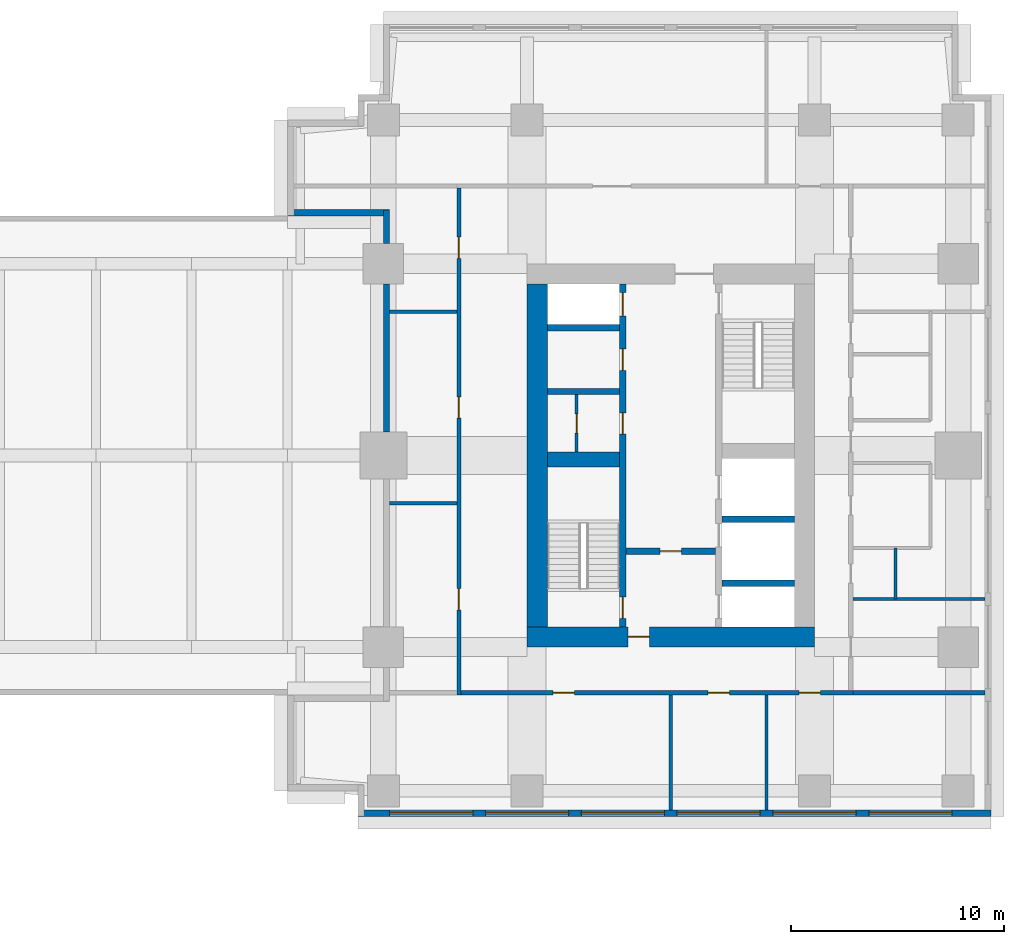
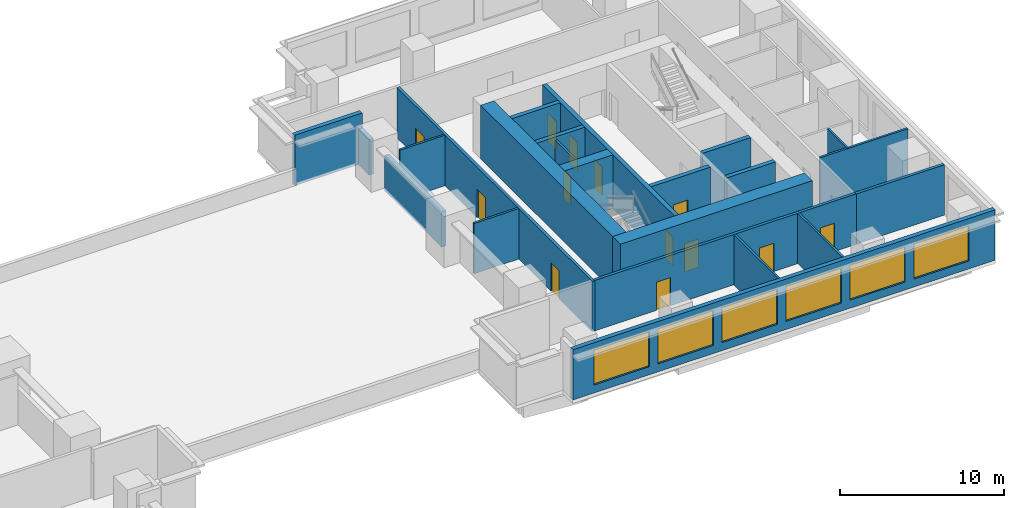
# One storey, part 6 of 10: 23 walls, 13 doors, 6 windows, 19 openings.
"""IFC4 building model written with IfcOpenShell, lengths in metres."""

from ifc_helpers import new_model, si_unit, direction, frame, frame_2d, origin, place, context, subcontext, project, spatial, rectangle, extrude, material, layer, layer_set, type_object, element, fill, save


model = new_model("IFC4")

# Units and contexts
model_context = context("Model", 3, precision=1e-05, world=origin(), true_north=direction((0.0, 1.0)))
body_context = subcontext(model_context, "Body", "Model", "MODEL_VIEW")
ifc_project = project(units=[si_unit("LENGTHUNIT", "METRE"), si_unit("AREAUNIT", "SQUARE_METRE"), si_unit("VOLUMEUNIT", "CUBIC_METRE"), si_unit("PLANEANGLEUNIT", "RADIAN"), si_unit("MASSUNIT", "GRAM", prefix="KILO")], contexts=[model_context])

# Site, building, storey
site_placement = place(None, origin())
site = spatial("IfcSite", under=ifc_project, at=site_placement, CompositionType="ELEMENT")
building_placement = place(site_placement, origin())
building = spatial("IfcBuilding", under=site, at=building_placement, Name="Namib Vertical Campus", CompositionType="ELEMENT")
storey_placement = place(building_placement, frame((0.0, 0.0, 137.0)))
storey = spatial("IfcBuildingStorey", under=building, at=storey_placement, Name="L32", CompositionType="ELEMENT", Elevation=137.0)

# Wall, openings, doors
ifc_material_1 = material(Name="Concrete C60/75", Category="concrete")
ifc_layer_1 = layer(ifc_material_1, 0.300048828125)
ifc_layer_set_1 = layer_set([ifc_layer_1], Name="Concrete C60/75")
wall_type_1 = type_object("IfcWallType", Name="Core inner wall 300", PredefinedType="SHEAR", material=ifc_layer_set_1)
wall_1_placement = place(storey_placement, frame((78.75, 12.199951171875, 0.0), z_axis=(0.0, 0.0, 1.0), x_axis=(0.0, 1.0, 0.0)))
wall_1 = element("IfcWall", 1, at=wall_1_placement, inside=storey, type_object=wall_type_1, Name="Core inner wall B L32 W1", PredefinedType="SHEAR", context=body_context, shape_type="SweptSolid", body=[
    extrude(rectangle(XDim=16.10009765625, YDim=0.300048828125, at=frame_2d((8.050048828125, 0.0))), origin(), (0.0, 0.0, 1.0), 4.0),
])
opening_1_placement = place(wall_1_placement, frame((0.39990234375, 0.0, 0.0)))
opening_1 = element("IfcOpeningElement", 2, at=opening_1_placement, cuts=wall_1, Name="Opening FD1", PredefinedType="OPENING", context=body_context, shape_type="SweptSolid", body=[
    extrude(rectangle(XDim=1.0, YDim=2.10009765625, at=frame_2d((0.5, 1.050048828125))), frame((0.0, 0.159912109375, 0.0), z_axis=(0.0, -1.0, 0.0), x_axis=(1.0, 0.0, 0.0)), (0.0, 0.0, 1.0), 0.320068359375),
])
opening_2_placement = place(wall_1_placement, frame((14.60009765625, 0.0, 0.0)))
opening_2 = element("IfcOpeningElement", 3, at=opening_2_placement, cuts=wall_1, Name="Opening LD1", PredefinedType="OPENING", context=body_context, shape_type="SweptSolid", body=[
    extrude(rectangle(XDim=1.10009765625, YDim=2.10009765625, at=frame_2d((0.550048828125, 1.050048828125))), frame((0.0, 0.159912109375, 0.0), z_axis=(0.0, -1.0, 0.0), x_axis=(1.0, 0.0, 0.0)), (0.0, 0.0, 1.0), 0.320068359375),
])
opening_3_placement = place(wall_1_placement, frame((9.050048828125, 0.0, 0.0)))
opening_3 = element("IfcOpeningElement", 4, at=opening_3_placement, cuts=wall_1, Name="Opening D1", PredefinedType="OPENING", context=body_context, shape_type="SweptSolid", body=[
    extrude(rectangle(XDim=1.0, YDim=2.10009765625, at=frame_2d((0.5, 1.050048828125))), frame((0.0, 0.159912109375, 0.0), z_axis=(0.0, -1.0, 0.0), x_axis=(1.0, 0.0, 0.0)), (0.0, 0.0, 1.0), 0.320068359375),
])
opening_4_placement = place(wall_1_placement, frame((12.050048828125, 0.0, 0.0)))
opening_4 = element("IfcOpeningElement", 5, at=opening_4_placement, cuts=wall_1, Name="Opening D1", PredefinedType="OPENING", context=body_context, shape_type="SweptSolid", body=[
    extrude(rectangle(XDim=1.0, YDim=2.10009765625, at=frame_2d((0.5, 1.050048828125))), frame((0.0, 0.159912109375, 0.0), z_axis=(0.0, -1.0, 0.0), x_axis=(1.0, 0.0, 0.0)), (0.0, 0.0, 1.0), 0.320068359375),
])
ifc_material_2 = material(Name="Timber door leaf", Category="wood")
door_type_1 = type_object("IfcDoorType", Name="Door single 1000x2100", OperationType="SINGLE_SWING_LEFT", PredefinedType="DOOR", material=ifc_material_2)
door_1_placement = place(opening_3_placement, origin())
door_1 = element("IfcDoor", 6, at=door_1_placement, inside=storey, type_object=door_type_1, Name="Door D1 Records store B L32 P1", OperationType="SINGLE_SWING_LEFT", OverallHeight=2.10009765625, OverallWidth=1.0, PredefinedType="DOOR", context=body_context, shape_type="SweptSolid", body=[
    extrude(rectangle(XDim=1.0, YDim=2.10009765625, at=frame_2d((0.5, 1.050048828125))), frame((0.0, 0.02490234375, 0.0), z_axis=(0.0, -1.0, 0.0), x_axis=(1.0, 0.0, 0.0)), (0.0, 0.0, 1.0), 0.050048828125),
])
fill(opening_3, door_1)
door_2_placement = place(opening_4_placement, origin())
door_2 = element("IfcDoor", 7, at=door_2_placement, inside=storey, type_object=door_type_1, Name="Door D1 Staff pantry B L32 P2", OperationType="SINGLE_SWING_LEFT", OverallHeight=2.10009765625, OverallWidth=1.0, PredefinedType="DOOR", context=body_context, shape_type="SweptSolid", body=[
    extrude(rectangle(XDim=1.0, YDim=2.10009765625, at=frame_2d((0.5, 1.050048828125))), frame((0.0, 0.02490234375, 0.0), z_axis=(0.0, -1.0, 0.0), x_axis=(1.0, 0.0, 0.0)), (0.0, 0.0, 1.0), 0.050048828125),
])
fill(opening_4, door_2)
ifc_material_3 = material(Name="Steel fire door", Category="steel")
door_type_2 = type_object("IfcDoorType", Name="Fire door 1000x2100", OperationType="SINGLE_SWING_RIGHT", PredefinedType="DOOR", material=ifc_material_3)
door_3_placement = place(opening_1_placement, origin())
door_3 = element("IfcDoor", 8, at=door_3_placement, inside=storey, type_object=door_type_2, Name="Stair door FD1 B L32 S1", OperationType="SINGLE_SWING_LEFT", OverallHeight=2.10009765625, OverallWidth=1.0, PredefinedType="DOOR", context=body_context, shape_type="SweptSolid", body=[
    extrude(rectangle(XDim=1.0, YDim=2.10009765625, at=frame_2d((0.5, 1.050048828125))), frame((0.0, 0.02490234375, 0.0), z_axis=(0.0, -1.0, 0.0), x_axis=(1.0, 0.0, 0.0)), (0.0, 0.0, 1.0), 0.050048828125),
])
fill(opening_1, door_3)
ifc_material_4 = material(Name="Stainless steel lift door", Category="steel")
door_type_3 = type_object("IfcDoorType", Name="Lift landing door 1100x2100", OperationType="DOUBLE_DOOR_SLIDING", PredefinedType="DOOR", material=ifc_material_4)
door_4_placement = place(opening_2_placement, origin())
door_4 = element("IfcDoor", 9, at=door_4_placement, inside=storey, type_object=door_type_3, Name="Lift landing door LD1 B-P3 L32", OperationType="DOUBLE_DOOR_SLIDING", OverallHeight=2.10009765625, OverallWidth=1.10009765625, PredefinedType="DOOR", context=body_context, shape_type="SweptSolid", body=[
    extrude(rectangle(XDim=1.10009765625, YDim=2.10009765625, at=frame_2d((0.550048828125, 1.050048828125))), frame((0.0, 0.02490234375, 0.0), z_axis=(0.0, -1.0, 0.0), x_axis=(1.0, 0.0, 0.0)), (0.0, 0.0, 1.0), 0.050048828125),
])
fill(opening_2, door_4)

# Wall, opening, door
wall_2_placement = place(storey_placement, frame((78.89990234375, 15.75, 0.0), z_axis=(0.0, 0.0, 1.0), x_axis=(1.0, 0.0, 0.0)))
wall_2 = element("IfcWall", 10, at=wall_2_placement, inside=storey, type_object=wall_type_1, Name="Core inner wall B L32 W4", PredefinedType="SHEAR", context=body_context, shape_type="SweptSolid", body=[
    extrude(rectangle(XDim=4.2001953125, YDim=0.300048828125, at=frame_2d((2.10009765625, 0.0))), origin(), (0.0, 0.0, 1.0), 4.0),
])
opening_5_placement = place(wall_2_placement, frame((1.60009765625, 0.0, 0.0)))
opening_5 = element("IfcOpeningElement", 11, at=opening_5_placement, cuts=wall_2, Name="Opening FD5", PredefinedType="OPENING", context=body_context, shape_type="SweptSolid", body=[
    extrude(rectangle(XDim=1.0, YDim=2.10009765625, at=frame_2d((0.5, 1.050048828125))), frame((0.0, 0.159912109375, 0.0), z_axis=(0.0, -1.0, 0.0), x_axis=(1.0, 0.0, 0.0)), (0.0, 0.0, 1.0), 0.320068359375),
])
ifc_material_5 = material(Name="Steel fire door", Category="steel")
door_type_4 = type_object("IfcDoorType", Name="Fire door 1000x2100 120 min", OperationType="SINGLE_SWING_RIGHT", PredefinedType="DOOR", material=ifc_material_5)
door_5_placement = place(opening_5_placement, frame((1.0, 0.0, 0.0), z_axis=(0.0, 0.0, 1.0), x_axis=(-1.0, 0.0, 0.0)))
door_5 = element("IfcDoor", 12, at=door_5_placement, inside=storey, type_object=door_type_4, Name="Lobby door FD5 B L32", OperationType="SINGLE_SWING_RIGHT", OverallHeight=2.10009765625, OverallWidth=1.0, PredefinedType="DOOR", context=body_context, shape_type="SweptSolid", body=[
    extrude(rectangle(XDim=1.0, YDim=2.10009765625, at=frame_2d((0.5, 1.050048828125))), frame((0.0, 0.02490234375, 0.0), z_axis=(0.0, -1.0, 0.0), x_axis=(1.0, 0.0, 0.0)), (0.0, 0.0, 1.0), 0.050048828125),
])
fill(opening_5, door_5)

# Walls
for number, where, z_axis, x_axis, name in (
    (13, (83.39990234375, 14.25, 0.0), (0.0, 0.0, 1.0), (1.0, 0.0, 0.0), "Core inner wall B L32 W5"),
    (14, (83.39990234375, 17.25, 0.0), (0.0, 0.0, 1.0), (1.0, 0.0, 0.0), "Core inner wall B L32 W6"),
    (15, (75.199951171875, 23.25, 0.0), (0.0, 0.0, 1.0), (1.0, 0.0, 0.0), "Core inner wall B L32 W8"),
    (16, (75.199951171875, 26.25, 0.0), (0.0, 0.0, 1.0), (1.0, 0.0, 0.0), "Core inner wall B L32 W9"),
):
    element("IfcWall", number, at=place(storey_placement, frame(where, z_axis=z_axis, x_axis=x_axis)), inside=storey, type_object=wall_type_1, Name=name, PredefinedType="SHEAR", context=body_context, shape_type="SweptSolid", body=[
        extrude(rectangle(XDim=3.400146484375, YDim=0.300048828125, at=frame_2d((1.7001953125, 0.0))), origin(), (0.0, 0.0, 1.0), 4.0),
    ])
ifc_material_6 = material(Name="Concrete C60/75", Category="concrete")
ifc_layer_2 = layer(ifc_material_6, 0.699951171875)
ifc_layer_set_2 = layer_set([ifc_layer_2], Name="Concrete C60/75")
wall_type_2 = type_object("IfcWallType", Name="Core shear wall 700", PredefinedType="SHEAR", material=ifc_layer_set_2)
wall_3_placement = place(storey_placement, frame((75.199951171875, 20.050048828125, 0.0), z_axis=(0.0, 0.0, 1.0), x_axis=(1.0, 0.0, 0.0)))
element("IfcWall", 17, at=wall_3_placement, inside=storey, type_object=wall_type_2, Name="Core shear wall B L32 W3", PredefinedType="SHEAR", context=body_context, shape_type="SweptSolid", body=[
    extrude(rectangle(XDim=3.400146484375, YDim=0.699951171875, at=frame_2d((1.7001953125, 0.0))), origin(), (0.0, 0.0, 1.0), 4.0),
])

# Wall, opening, door
ifc_material_7 = material(Name="Concrete C60/75", Category="concrete")
ifc_layer_3 = layer(ifc_material_7, 0.949951171875)
ifc_layer_set_3 = layer_set([ifc_layer_3], Name="Concrete C60/75")
wall_type_3 = type_object("IfcWallType", Name="Core wall 950", PredefinedType="SHEAR", material=ifc_layer_set_3)
wall_4_placement = place(storey_placement, frame((74.25, 11.72509765625, 0.0), z_axis=(0.0, 0.0, 1.0), x_axis=(1.0, 0.0, 0.0)))
wall_4 = element("IfcWall", 18, at=wall_4_placement, inside=storey, type_object=wall_type_3, Name="Core wall B L32 1", PredefinedType="SHEAR", context=body_context, shape_type="SweptSolid", body=[
    extrude(rectangle(XDim=13.5, YDim=0.949951171875, at=frame_2d((6.75, 0.0))), origin(), (0.0, 0.0, 1.0), 4.0),
])
opening_6_placement = place(wall_4_placement, frame((4.75, 0.0, 0.0)))
opening_6 = element("IfcOpeningElement", 19, at=opening_6_placement, cuts=wall_4, Name="Opening FD5", PredefinedType="OPENING", context=body_context, shape_type="SweptSolid", body=[
    extrude(rectangle(XDim=1.0, YDim=2.10009765625, at=frame_2d((0.5, 1.050048828125))), frame((0.0, 0.48486328125, 0.0), z_axis=(0.0, -1.0, 0.0), x_axis=(1.0, 0.0, 0.0)), (0.0, 0.0, 1.0), 0.969970703125),
])
door_6_placement = place(opening_6_placement, origin())
door_6 = element("IfcDoor", 20, at=door_6_placement, inside=storey, type_object=door_type_4, Name="Firefighting lobby door FD5 B L32", OperationType="SINGLE_SWING_LEFT", OverallHeight=2.10009765625, OverallWidth=1.0, PredefinedType="DOOR", context=body_context, shape_type="SweptSolid", body=[
    extrude(rectangle(XDim=1.0, YDim=2.10009765625, at=frame_2d((0.5, 1.050048828125))), frame((0.0, 0.02490234375, 0.0), z_axis=(0.0, -1.0, 0.0), x_axis=(1.0, 0.0, 0.0)), (0.0, 0.0, 1.0), 0.050048828125),
])
fill(opening_6, door_6)

# Wall
wall_5_placement = place(storey_placement, frame((74.72509765625, 28.300048828125, 0.0), z_axis=(0.0, 0.0, 1.0), x_axis=(0.0, -1.0, 0.0)))
element("IfcWall", 21, at=wall_5_placement, inside=storey, type_object=wall_type_3, Name="Core wall B L32 4", PredefinedType="SHEAR", context=body_context, shape_type="SweptSolid", body=[
    extrude(rectangle(XDim=16.10009765625, YDim=0.949951171875, at=frame_2d((8.050048828125, 0.0))), origin(), (0.0, 0.0, 1.0), 4.0),
])

# Wall, openings, doors
ifc_material_8 = material(Name="Concrete masonry", Category="masonry")
ifc_layer_4 = layer(ifc_material_8, 0.199951171875)
ifc_layer_set_4 = layer_set([ifc_layer_4], Name="Corridor wall 200")
wall_type_4 = type_object("IfcWallType", Name="Corridor wall 200", PredefinedType="SOLIDWALL", material=ifc_layer_set_4)
wall_6_placement = place(storey_placement, frame((71.14990234375, 9.10009765625, 0.0), z_axis=(0.0, 0.0, 1.0), x_axis=(1.0, 0.0, 0.0)))
wall_6 = element("IfcWall", 22, at=wall_6_placement, inside=storey, type_object=wall_type_4, Name="Corridor wall B L32 CS", PredefinedType="SOLIDWALL", context=body_context, shape_type="SweptSolid", body=[
    extrude(rectangle(XDim=18.400146484375, YDim=0.199951171875, at=frame_2d((9.2001953125, 0.0))), origin(), (0.0, 0.0, 1.0), 3.75),
])
opening_7_placement = place(wall_6_placement, frame((4.324951171875, 0.0, 0.0)))
opening_7 = element("IfcOpeningElement", 23, at=opening_7_placement, cuts=wall_6, Name="Opening CD1", PredefinedType="OPENING", context=body_context, shape_type="SweptSolid", body=[
    extrude(rectangle(XDim=1.0, YDim=2.10009765625, at=frame_2d((0.5, 1.050048828125))), frame((0.0, 0.10986328125, 0.0), z_axis=(0.0, -1.0, 0.0), x_axis=(1.0, 0.0, 0.0)), (0.0, 0.0, 1.0), 0.219970703125),
])
opening_8_placement = place(wall_6_placement, frame((11.60009765625, 0.0, 0.0)))
opening_8 = element("IfcOpeningElement", 24, at=opening_8_placement, cuts=wall_6, Name="Opening CD1", PredefinedType="OPENING", context=body_context, shape_type="SweptSolid", body=[
    extrude(rectangle(XDim=1.0, YDim=2.10009765625, at=frame_2d((0.5, 1.050048828125))), frame((0.0, 0.10986328125, 0.0), z_axis=(0.0, -1.0, 0.0), x_axis=(1.0, 0.0, 0.0)), (0.0, 0.0, 1.0), 0.219970703125),
])
opening_9_placement = place(wall_6_placement, frame((15.875, 0.0, 0.0)))
opening_9 = element("IfcOpeningElement", 25, at=opening_9_placement, cuts=wall_6, Name="Opening CD1", PredefinedType="OPENING", context=body_context, shape_type="SweptSolid", body=[
    extrude(rectangle(XDim=1.0, YDim=2.10009765625, at=frame_2d((0.5, 1.050048828125))), frame((0.0, 0.10986328125, 0.0), z_axis=(0.0, -1.0, 0.0), x_axis=(1.0, 0.0, 0.0)), (0.0, 0.0, 1.0), 0.219970703125),
])
ifc_material_9 = material(Name="Timber fire door leaf", Category="wood")
door_type_5 = type_object("IfcDoorType", Name="Corridor door 1000x2100 20 min", OperationType="SINGLE_SWING_LEFT", PredefinedType="DOOR", material=ifc_material_9)
door_7_placement = place(opening_7_placement, frame((1.0, 0.0, 0.0), z_axis=(0.0, 0.0, 1.0), x_axis=(-1.0, 0.0, 0.0)))
door_7 = element("IfcDoor", 26, at=door_7_placement, inside=storey, type_object=door_type_5, Name="Door CD1 B32-01", OperationType="SINGLE_SWING_LEFT", OverallHeight=2.10009765625, OverallWidth=1.0, PredefinedType="DOOR", context=body_context, shape_type="SweptSolid", body=[
    extrude(rectangle(XDim=1.0, YDim=2.10009765625, at=frame_2d((0.5, 1.050048828125))), frame((0.0, 0.02490234375, 0.0), z_axis=(0.0, -1.0, 0.0), x_axis=(1.0, 0.0, 0.0)), (0.0, 0.0, 1.0), 0.050048828125),
])
fill(opening_7, door_7)
door_8_placement = place(opening_8_placement, frame((1.0, 0.0, 0.0), z_axis=(0.0, 0.0, 1.0), x_axis=(-1.0, 0.0, 0.0)))
door_8 = element("IfcDoor", 27, at=door_8_placement, inside=storey, type_object=door_type_5, Name="Door CD1 B32-02", OperationType="SINGLE_SWING_RIGHT", OverallHeight=2.10009765625, OverallWidth=1.0, PredefinedType="DOOR", context=body_context, shape_type="SweptSolid", body=[
    extrude(rectangle(XDim=1.0, YDim=2.10009765625, at=frame_2d((0.5, 1.050048828125))), frame((0.0, 0.02490234375, 0.0), z_axis=(0.0, -1.0, 0.0), x_axis=(1.0, 0.0, 0.0)), (0.0, 0.0, 1.0), 0.050048828125),
])
fill(opening_8, door_8)
door_9_placement = place(opening_9_placement, frame((1.0, 0.0, 0.0), z_axis=(0.0, 0.0, 1.0), x_axis=(-1.0, 0.0, 0.0)))
door_9 = element("IfcDoor", 28, at=door_9_placement, inside=storey, type_object=door_type_5, Name="Door CD1 B32-03", OperationType="SINGLE_SWING_RIGHT", OverallHeight=2.10009765625, OverallWidth=1.0, PredefinedType="DOOR", context=body_context, shape_type="SweptSolid", body=[
    extrude(rectangle(XDim=1.0, YDim=2.10009765625, at=frame_2d((0.5, 1.050048828125))), frame((0.0, 0.02490234375, 0.0), z_axis=(0.0, -1.0, 0.0), x_axis=(1.0, 0.0, 0.0)), (0.0, 0.0, 1.0), 0.050048828125),
])
fill(opening_9, door_9)

wall_7_placement = place(storey_placement, frame((71.050048828125, 32.800048828125, 0.0), z_axis=(0.0, 0.0, 1.0), x_axis=(0.0, -1.0, 0.0)))
wall_7 = element("IfcWall", 29, at=wall_7_placement, inside=storey, type_object=wall_type_4, Name="Corridor wall B L32 CW", PredefinedType="SOLIDWALL", context=body_context, shape_type="SweptSolid", body=[
    extrude(rectangle(XDim=23.800048828125, YDim=0.199951171875, at=frame_2d((11.89990234375, 0.0))), origin(), (0.0, 0.0, 1.0), 3.75),
])
opening_10_placement = place(wall_7_placement, frame((18.800048828125, 0.0, 0.0)))
opening_10 = element("IfcOpeningElement", 30, at=opening_10_placement, cuts=wall_7, Name="Opening CD1", PredefinedType="OPENING", context=body_context, shape_type="SweptSolid", body=[
    extrude(rectangle(XDim=1.0, YDim=2.10009765625, at=frame_2d((0.5, 1.050048828125))), frame((0.0, 0.10986328125, 0.0), z_axis=(0.0, -1.0, 0.0), x_axis=(1.0, 0.0, 0.0)), (0.0, 0.0, 1.0), 0.219970703125),
])
opening_11_placement = place(wall_7_placement, frame((9.800048828125, 0.0, 0.0)))
opening_11 = element("IfcOpeningElement", 31, at=opening_11_placement, cuts=wall_7, Name="Opening CD1", PredefinedType="OPENING", context=body_context, shape_type="SweptSolid", body=[
    extrude(rectangle(XDim=1.0, YDim=2.10009765625, at=frame_2d((0.5, 1.050048828125))), frame((0.0, 0.10986328125, 0.0), z_axis=(0.0, -1.0, 0.0), x_axis=(1.0, 0.0, 0.0)), (0.0, 0.0, 1.0), 0.219970703125),
])
opening_12_placement = place(wall_7_placement, frame((2.300048828125, 0.0, 0.0)))
opening_12 = element("IfcOpeningElement", 32, at=opening_12_placement, cuts=wall_7, Name="Opening CD1", PredefinedType="OPENING", context=body_context, shape_type="SweptSolid", body=[
    extrude(rectangle(XDim=1.0, YDim=2.10009765625, at=frame_2d((0.5, 1.050048828125))), frame((0.0, 0.10986328125, 0.0), z_axis=(0.0, -1.0, 0.0), x_axis=(1.0, 0.0, 0.0)), (0.0, 0.0, 1.0), 0.219970703125),
])
door_10_placement = place(opening_10_placement, frame((1.0, 0.0, 0.0), z_axis=(0.0, 0.0, 1.0), x_axis=(-1.0, 0.0, 0.0)))
door_10 = element("IfcDoor", 33, at=door_10_placement, inside=storey, type_object=door_type_5, Name="Door CD1 B32-13", OperationType="SINGLE_SWING_RIGHT", OverallHeight=2.10009765625, OverallWidth=1.0, PredefinedType="DOOR", context=body_context, shape_type="SweptSolid", body=[
    extrude(rectangle(XDim=1.0, YDim=2.10009765625, at=frame_2d((0.5, 1.050048828125))), frame((0.0, 0.02490234375, 0.0), z_axis=(0.0, -1.0, 0.0), x_axis=(1.0, 0.0, 0.0)), (0.0, 0.0, 1.0), 0.050048828125),
])
fill(opening_10, door_10)
door_11_placement = place(opening_11_placement, frame((1.0, 0.0, 0.0), z_axis=(0.0, 0.0, 1.0), x_axis=(-1.0, 0.0, 0.0)))
door_11 = element("IfcDoor", 34, at=door_11_placement, inside=storey, type_object=door_type_5, Name="Door CD1 B32-14", OperationType="SINGLE_SWING_RIGHT", OverallHeight=2.10009765625, OverallWidth=1.0, PredefinedType="DOOR", context=body_context, shape_type="SweptSolid", body=[
    extrude(rectangle(XDim=1.0, YDim=2.10009765625, at=frame_2d((0.5, 1.050048828125))), frame((0.0, 0.02490234375, 0.0), z_axis=(0.0, -1.0, 0.0), x_axis=(1.0, 0.0, 0.0)), (0.0, 0.0, 1.0), 0.050048828125),
])
fill(opening_11, door_11)
door_12_placement = place(opening_12_placement, frame((1.0, 0.0, 0.0), z_axis=(0.0, 0.0, 1.0), x_axis=(-1.0, 0.0, 0.0)))
door_12 = element("IfcDoor", 35, at=door_12_placement, inside=storey, type_object=door_type_5, Name="Door CD1 B32-15", OperationType="SINGLE_SWING_RIGHT", OverallHeight=2.10009765625, OverallWidth=1.0, PredefinedType="DOOR", context=body_context, shape_type="SweptSolid", body=[
    extrude(rectangle(XDim=1.0, YDim=2.10009765625, at=frame_2d((0.5, 1.050048828125))), frame((0.0, 0.02490234375, 0.0), z_axis=(0.0, -1.0, 0.0), x_axis=(1.0, 0.0, 0.0)), (0.0, 0.0, 1.0), 0.050048828125),
])
fill(opening_12, door_12)

# Wall
wall_8_placement = place(storey_placement, frame((89.550048828125, 9.10009765625, 0.0), z_axis=(0.0, 0.0, 1.0), x_axis=(1.0, 0.0, 0.0)))
element("IfcWall", 36, at=wall_8_placement, inside=storey, type_object=wall_type_4, Name="Partition B L32 BSE", PredefinedType="SOLIDWALL", context=body_context, shape_type="SweptSolid", body=[
    extrude(rectangle(XDim=6.199951171875, YDim=0.199951171875, at=frame_2d((3.10009765625, 0.0))), origin(), (0.0, 0.0, 1.0), 3.75),
])

# Wall, openings, windows
ifc_material_10 = material(Name="Concrete C40/50", Category="concrete")
ifc_layer_5 = layer(ifc_material_10, 0.300048828125)
ifc_layer_set_5 = layer_set([ifc_layer_5], Name="Concrete C40/50")
wall_type_5 = type_object("IfcWallType", Name="External wall 300 board-marked concrete", PredefinedType="STANDARD", material=ifc_layer_set_5)
wall_9_placement = place(storey_placement, frame((66.320068359375, 3.449951171875, 0.0), z_axis=(0.0, 0.0, 1.0), x_axis=(1.0, 0.0, 0.0)))
wall_9 = element("IfcWall", 37, at=wall_9_placement, inside=storey, type_object=wall_type_5, Name="External wall L32 F04", PredefinedType="STANDARD", context=body_context, shape_type="SweptSolid", body=[
    extrude(rectangle(XDim=29.7099609375, YDim=0.300048828125, at=frame_2d((14.85498046875, 0.0))), origin(), (0.0, 0.0, 1.0), 3.75),
])
opening_13_placement = place(wall_9_placement, frame((1.47998046875, 0.0, 0.60009765625)))
opening_13 = element("IfcOpeningElement", 38, at=opening_13_placement, cuts=wall_9, Name="Opening W2", PredefinedType="OPENING", context=body_context, shape_type="SweptSolid", body=[
    extrude(rectangle(XDim=3.89990234375, YDim=2.60009765625, at=frame_2d((1.949951171875, 1.300048828125))), frame((0.0, 0.159912109375, 0.0), z_axis=(0.0, -1.0, 0.0), x_axis=(1.0, 0.0, 0.0)), (0.0, 0.0, 1.0), 0.320068359375),
])
opening_14_placement = place(wall_9_placement, frame((5.97998046875, 0.0, 0.60009765625)))
opening_14 = element("IfcOpeningElement", 39, at=opening_14_placement, cuts=wall_9, Name="Opening W2", PredefinedType="OPENING", context=body_context, shape_type="SweptSolid", body=[
    extrude(rectangle(XDim=3.89990234375, YDim=2.60009765625, at=frame_2d((1.949951171875, 1.300048828125))), frame((0.0, 0.159912109375, 0.0), z_axis=(0.0, -1.0, 0.0), x_axis=(1.0, 0.0, 0.0)), (0.0, 0.0, 1.0), 0.320068359375),
])
opening_15_placement = place(wall_9_placement, frame((10.47998046875, 0.0, 0.60009765625)))
opening_15 = element("IfcOpeningElement", 40, at=opening_15_placement, cuts=wall_9, Name="Opening W2", PredefinedType="OPENING", context=body_context, shape_type="SweptSolid", body=[
    extrude(rectangle(XDim=3.89990234375, YDim=2.60009765625, at=frame_2d((1.949951171875, 1.300048828125))), frame((0.0, 0.159912109375, 0.0), z_axis=(0.0, -1.0, 0.0), x_axis=(1.0, 0.0, 0.0)), (0.0, 0.0, 1.0), 0.320068359375),
])
opening_16_placement = place(wall_9_placement, frame((14.97998046875, 0.0, 0.60009765625)))
opening_16 = element("IfcOpeningElement", 41, at=opening_16_placement, cuts=wall_9, Name="Opening W2", PredefinedType="OPENING", context=body_context, shape_type="SweptSolid", body=[
    extrude(rectangle(XDim=3.89990234375, YDim=2.60009765625, at=frame_2d((1.949951171875, 1.300048828125))), frame((0.0, 0.159912109375, 0.0), z_axis=(0.0, -1.0, 0.0), x_axis=(1.0, 0.0, 0.0)), (0.0, 0.0, 1.0), 0.320068359375),
])
opening_17_placement = place(wall_9_placement, frame((19.47998046875, 0.0, 0.60009765625)))
opening_17 = element("IfcOpeningElement", 42, at=opening_17_placement, cuts=wall_9, Name="Opening W2", PredefinedType="OPENING", context=body_context, shape_type="SweptSolid", body=[
    extrude(rectangle(XDim=3.89990234375, YDim=2.60009765625, at=frame_2d((1.949951171875, 1.300048828125))), frame((0.0, 0.159912109375, 0.0), z_axis=(0.0, -1.0, 0.0), x_axis=(1.0, 0.0, 0.0)), (0.0, 0.0, 1.0), 0.320068359375),
])
opening_18_placement = place(wall_9_placement, frame((23.97998046875, 0.0, 0.60009765625)))
opening_18 = element("IfcOpeningElement", 43, at=opening_18_placement, cuts=wall_9, Name="Opening W2", PredefinedType="OPENING", context=body_context, shape_type="SweptSolid", body=[
    extrude(rectangle(XDim=3.89990234375, YDim=2.60009765625, at=frame_2d((1.949951171875, 1.300048828125))), frame((0.0, 0.159912109375, 0.0), z_axis=(0.0, -1.0, 0.0), x_axis=(1.0, 0.0, 0.0)), (0.0, 0.0, 1.0), 0.320068359375),
])
ifc_material_11 = material(Name="Dark tinted glass in black aluminium frame", Category="aluminium")
window_type = type_object("IfcWindowType", Name="Ribbon window 3900x2600", PartitioningType="SINGLE_PANEL", PredefinedType="WINDOW", material=ifc_material_11)
window_1_placement = place(opening_13_placement, origin())
window_1 = element("IfcWindow", 44, at=window_1_placement, inside=storey, type_object=window_type, Name="Window W2 L32 F04-1", OverallHeight=2.60009765625, OverallWidth=3.89990234375, PartitioningType="SINGLE_PANEL", PredefinedType="WINDOW", context=body_context, shape_type="SweptSolid", body=[
    extrude(rectangle(XDim=3.89990234375, YDim=2.60009765625, at=frame_2d((1.949951171875, 1.300048828125))), frame((0.0, 0.030029296875, 0.0), z_axis=(0.0, -1.0, 0.0), x_axis=(1.0, 0.0, 0.0)), (0.0, 0.0, 1.0), 0.06005859375),
])
fill(opening_13, window_1)
window_2_placement = place(opening_14_placement, origin())
window_2 = element("IfcWindow", 45, at=window_2_placement, inside=storey, type_object=window_type, Name="Window W2 L32 F04-2", OverallHeight=2.60009765625, OverallWidth=3.89990234375, PartitioningType="SINGLE_PANEL", PredefinedType="WINDOW", context=body_context, shape_type="SweptSolid", body=[
    extrude(rectangle(XDim=3.89990234375, YDim=2.60009765625, at=frame_2d((1.949951171875, 1.300048828125))), frame((0.0, 0.030029296875, 0.0), z_axis=(0.0, -1.0, 0.0), x_axis=(1.0, 0.0, 0.0)), (0.0, 0.0, 1.0), 0.06005859375),
])
fill(opening_14, window_2)
window_3_placement = place(opening_15_placement, origin())
window_3 = element("IfcWindow", 46, at=window_3_placement, inside=storey, type_object=window_type, Name="Window W2 L32 F04-3", OverallHeight=2.60009765625, OverallWidth=3.89990234375, PartitioningType="SINGLE_PANEL", PredefinedType="WINDOW", context=body_context, shape_type="SweptSolid", body=[
    extrude(rectangle(XDim=3.89990234375, YDim=2.60009765625, at=frame_2d((1.949951171875, 1.300048828125))), frame((0.0, 0.030029296875, 0.0), z_axis=(0.0, -1.0, 0.0), x_axis=(1.0, 0.0, 0.0)), (0.0, 0.0, 1.0), 0.06005859375),
])
fill(opening_15, window_3)
window_4_placement = place(opening_16_placement, origin())
window_4 = element("IfcWindow", 47, at=window_4_placement, inside=storey, type_object=window_type, Name="Window W2 L32 F04-4", OverallHeight=2.60009765625, OverallWidth=3.89990234375, PartitioningType="SINGLE_PANEL", PredefinedType="WINDOW", context=body_context, shape_type="SweptSolid", body=[
    extrude(rectangle(XDim=3.89990234375, YDim=2.60009765625, at=frame_2d((1.949951171875, 1.300048828125))), frame((0.0, 0.030029296875, 0.0), z_axis=(0.0, -1.0, 0.0), x_axis=(1.0, 0.0, 0.0)), (0.0, 0.0, 1.0), 0.06005859375),
])
fill(opening_16, window_4)
window_5_placement = place(opening_17_placement, origin())
window_5 = element("IfcWindow", 48, at=window_5_placement, inside=storey, type_object=window_type, Name="Window W2 L32 F04-5", OverallHeight=2.60009765625, OverallWidth=3.89990234375, PartitioningType="SINGLE_PANEL", PredefinedType="WINDOW", context=body_context, shape_type="SweptSolid", body=[
    extrude(rectangle(XDim=3.89990234375, YDim=2.60009765625, at=frame_2d((1.949951171875, 1.300048828125))), frame((0.0, 0.030029296875, 0.0), z_axis=(0.0, -1.0, 0.0), x_axis=(1.0, 0.0, 0.0)), (0.0, 0.0, 1.0), 0.06005859375),
])
fill(opening_17, window_5)
window_6_placement = place(opening_18_placement, origin())
window_6 = element("IfcWindow", 49, at=window_6_placement, inside=storey, type_object=window_type, Name="Window W2 L32 F04-6", OverallHeight=2.60009765625, OverallWidth=3.89990234375, PartitioningType="SINGLE_PANEL", PredefinedType="WINDOW", context=body_context, shape_type="SweptSolid", body=[
    extrude(rectangle(XDim=3.89990234375, YDim=2.60009765625, at=frame_2d((1.949951171875, 1.300048828125))), frame((0.0, 0.030029296875, 0.0), z_axis=(0.0, -1.0, 0.0), x_axis=(1.0, 0.0, 0.0)), (0.0, 0.0, 1.0), 0.06005859375),
])
fill(opening_18, window_6)

# Walls
wall_10_placement = place(storey_placement, frame((63.02001953125, 31.64990234375, 0.0), z_axis=(0.0, 0.0, 1.0), x_axis=(1.0, 0.0, 0.0)))
element("IfcWall", 50, at=wall_10_placement, inside=storey, type_object=wall_type_5, Name="External wall L32 F14", PredefinedType="STANDARD", context=body_context, shape_type="SweptSolid", body=[
    extrude(rectangle(XDim=4.760009765625, YDim=0.300048828125, at=frame_2d((2.3798828125, 0.0))), origin(), (0.0, 0.0, 1.0), 3.75),
])
wall_11_placement = place(storey_placement, frame((67.64990234375, 31.780029296875, 0.0), z_axis=(0.0, 0.0, 1.0), x_axis=(0.0, -1.0, 0.0)))
element("IfcWall", 51, at=wall_11_placement, inside=storey, type_object=wall_type_5, Name="External wall L32 F15", PredefinedType="STANDARD", context=body_context, shape_type="SweptSolid", body=[
    extrude(rectangle(XDim=1.580078125, YDim=0.300048828125, at=frame_2d((0.7900390625, 0.0))), origin(), (0.0, 0.0, 1.0), 2.64990234375),
])
wall_12_placement = place(storey_placement, frame((67.64990234375, 28.300048828125, 0.0), z_axis=(0.0, 0.0, 1.0), x_axis=(0.0, -1.0, 0.0)))
element("IfcWall", 52, at=wall_12_placement, inside=storey, type_object=wall_type_5, Name="External wall L32 F15", PredefinedType="STANDARD", context=body_context, shape_type="SweptSolid", body=[
    extrude(rectangle(XDim=6.949951171875, YDim=0.300048828125, at=frame_2d((3.47509765625, 0.0))), origin(), (0.0, 0.0, 1.0), 2.64990234375),
])

# Wall, opening, door
ifc_material_12 = material(Name="Gypsum board on steel studs", Category="steel")
ifc_layer_6 = layer(ifc_material_12, 0.14990234375)
ifc_layer_set_6 = layer_set([ifc_layer_6], Name="Gypsum board on steel studs")
wall_type_6 = type_object("IfcWallType", Name="Partition 150", PredefinedType="PARTITIONING", material=ifc_layer_set_6)
wall_13_placement = place(storey_placement, frame((76.574951171875, 20.39990234375, 0.0), z_axis=(0.0, 0.0, 1.0), x_axis=(0.0, 1.0, 0.0)))
wall_13 = element("IfcWall", 53, at=wall_13_placement, inside=storey, type_object=wall_type_6, Name="Partition B L32 Records store P1 back", PredefinedType="PARTITIONING", context=body_context, shape_type="SweptSolid", body=[
    extrude(rectangle(XDim=2.7001953125, YDim=0.14990234375, at=frame_2d((1.35009765625, 0.0))), origin(), (0.0, 0.0, 1.0), 3.75),
])
opening_19_placement = place(wall_13_placement, frame((0.89990234375, 0.0, 0.0)))
opening_19 = element("IfcOpeningElement", 54, at=opening_19_placement, cuts=wall_13, Name="Opening D3", PredefinedType="OPENING", context=body_context, shape_type="SweptSolid", body=[
    extrude(rectangle(XDim=0.89990234375, YDim=2.10009765625, at=frame_2d((0.449951171875, 1.050048828125))), frame((0.0, 0.0849609375, 0.0), z_axis=(0.0, -1.0, 0.0), x_axis=(1.0, 0.0, 0.0)), (0.0, 0.0, 1.0), 0.169921875),
])
ifc_material_13 = material(Name="Timber door leaf", Category="wood")
door_type_6 = type_object("IfcDoorType", Name="Toilet door 900x2100", OperationType="SINGLE_SWING_LEFT", PredefinedType="DOOR", material=ifc_material_13)
door_13_placement = place(opening_19_placement, origin())
door_13 = element("IfcDoor", 55, at=door_13_placement, inside=storey, type_object=door_type_6, Name="Door D3 Store B L32 P1", OperationType="SINGLE_SWING_LEFT", OverallHeight=2.10009765625, OverallWidth=0.89990234375, PredefinedType="DOOR", context=body_context, shape_type="SweptSolid", body=[
    extrude(rectangle(XDim=0.89990234375, YDim=2.10009765625, at=frame_2d((0.449951171875, 1.050048828125))), frame((0.0, 0.02490234375, 0.0), z_axis=(0.0, -1.0, 0.0), x_axis=(1.0, 0.0, 0.0)), (0.0, 0.0, 1.0), 0.050048828125),
])
fill(opening_19, door_13)

# Walls
for number, where, z_axis, x_axis, name in (
    (56, (81.0, 3.60009765625, 0.0), (0.0, 0.0, 1.0), (0.0, 1.0, 0.0), "Partition B L32 PS1"),
    (57, (85.5, 3.60009765625, 0.0), (0.0, 0.0, 1.0), (0.0, 1.0, 0.0), "Partition B L32 PS2"),
):
    element("IfcWall", number, at=place(storey_placement, frame(where, z_axis=z_axis, x_axis=x_axis)), inside=storey, type_object=wall_type_6, Name=name, PredefinedType="PARTITIONING", context=body_context, shape_type="SweptSolid", body=[
        extrude(rectangle(XDim=5.39990234375, YDim=0.14990234375, at=frame_2d((2.699951171875, 0.0))), origin(), (0.0, 0.0, 1.0), 3.75),
    ])
wall_14_placement = place(storey_placement, frame((89.550048828125, 13.5, 0.0), z_axis=(0.0, 0.0, 1.0), x_axis=(1.0, 0.0, 0.0)))
element("IfcWall", 58, at=wall_14_placement, inside=storey, type_object=wall_type_6, Name="Partition B L32 PE1", PredefinedType="PARTITIONING", context=body_context, shape_type="SweptSolid", body=[
    extrude(rectangle(XDim=6.199951171875, YDim=0.14990234375, at=frame_2d((3.10009765625, 0.0))), origin(), (0.0, 0.0, 1.0), 3.75),
])
for number, where, z_axis, x_axis, name in (
    (59, (67.800048828125, 18.0, 0.0), (0.0, 0.0, 1.0), (1.0, 0.0, 0.0), "Partition B L32 PW1"),
    (60, (67.800048828125, 27.0, 0.0), (0.0, 0.0, 1.0), (1.0, 0.0, 0.0), "Partition B L32 PW2"),
):
    element("IfcWall", number, at=place(storey_placement, frame(where, z_axis=z_axis, x_axis=x_axis)), inside=storey, type_object=wall_type_6, Name=name, PredefinedType="PARTITIONING", context=body_context, shape_type="SweptSolid", body=[
        extrude(rectangle(XDim=3.14990234375, YDim=0.14990234375, at=frame_2d((1.574951171875, 0.0))), origin(), (0.0, 0.0, 1.0), 3.75),
    ])
wall_15_placement = place(storey_placement, frame((91.550048828125, 13.5, 0.0), z_axis=(0.0, 0.0, 1.0), x_axis=(0.0, 1.0, 0.0)))
element("IfcWall", 61, at=wall_15_placement, inside=storey, type_object=wall_type_6, Name="Partition B L32 WB1", PredefinedType="PARTITIONING", context=body_context, shape_type="SweptSolid", body=[
    extrude(rectangle(XDim=2.39990234375, YDim=0.14990234375, at=frame_2d((1.199951171875, 0.0))), origin(), (0.0, 0.0, 1.0), 3.75),
])

save(model, "model.ifc")
